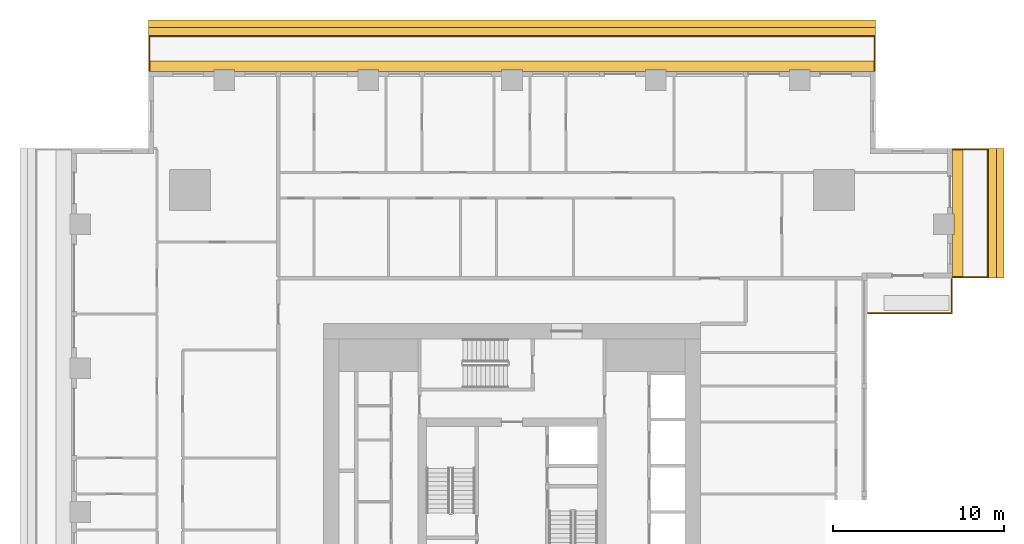
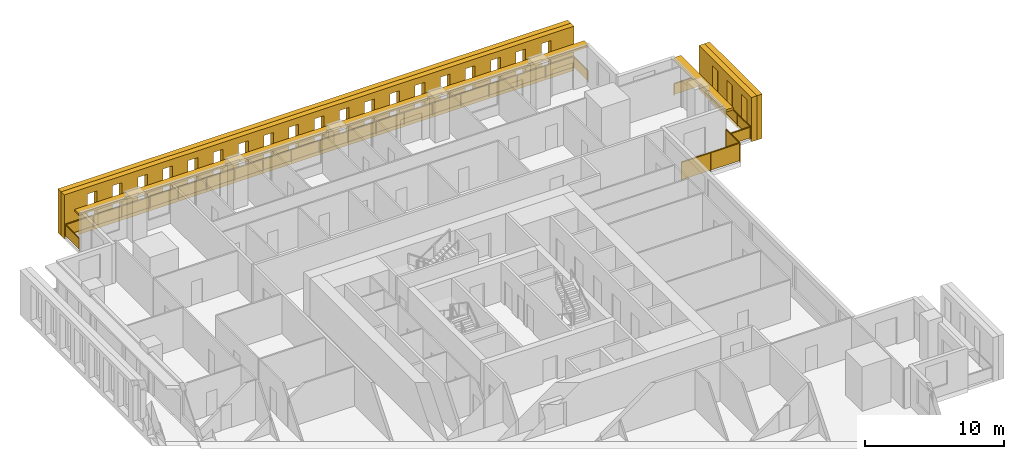
# One storey, part 15 of 15: 6 shading devices, 3 railings.
"""IFC4 building model written with IfcOpenShell, lengths in metres."""

from ifc_helpers import new_model, si_unit, direction, frame, origin, origin_2d, place, context, subcontext, project, spatial, polyline, rectangle, outline, extrude, material, layer, layer_set, type_object, element, save


model = new_model("IFC4")

# Units and contexts
model_context = context("Model", 3, precision=1e-05, world=origin(), true_north=direction((0.0, 1.0)))
body_context = subcontext(model_context, "Body", "Model", "MODEL_VIEW")
ifc_project = project(units=[si_unit("LENGTHUNIT", "METRE"), si_unit("AREAUNIT", "SQUARE_METRE"), si_unit("VOLUMEUNIT", "CUBIC_METRE"), si_unit("PLANEANGLEUNIT", "RADIAN"), si_unit("MASSUNIT", "GRAM", prefix="KILO")], contexts=[model_context])

# Site, building, storey
site_placement = place(None, origin())
site = spatial("IfcSite", under=ifc_project, at=site_placement, CompositionType="ELEMENT")
building_placement = place(site_placement, origin())
building = spatial("IfcBuilding", under=site, at=building_placement, Name="Khepri Terraces", CompositionType="ELEMENT")
storey_placement = place(building_placement, frame((0.0, 0.0, 227.39990234375)))
storey = spatial("IfcBuildingStorey", under=building, at=storey_placement, Name="L54", CompositionType="ELEMENT", Elevation=227.39990234375)

# Railings
ifc_material_1 = material(Name="Stainless steel grade 316", Category="steel")
railing_type_1 = type_object("IfcRailingType", Name="GRD-BAL-1100", PredefinedType="GUARDRAIL", material=ifc_material_1)
railing_1_placement = place(storey_placement, frame((25.719970703125, 13.699951171875, 0.0)))
element("IfcRailing", 1, at=railing_1_placement, inside=storey, type_object=railing_type_1, Name="Balcony guard L54 E", PredefinedType="GUARDRAIL", context=body_context, shape_type="SweptSolid", body=[
    extrude(rectangle(XDim=0.050048828125, YDim=0.06005859375, at=origin_2d()), frame((0.0, 0.0, 1.070068359375), z_axis=(1.0, 0.0, 0.0), x_axis=(0.0, 1.0, 0.0)), (0.0, 0.0, 1.0), 2.050048828125),
    extrude(rectangle(XDim=2.0, YDim=0.011962890625, at=origin_2d()), frame((1.02490234375, 0.0, 0.10009765625), z_axis=(0.0, 0.0, 1.0), x_axis=(1.0, 0.0, 0.0)), (0.0, 0.0, 1.0), 0.93994140625),
    extrude(rectangle(XDim=0.050048828125, YDim=0.06005859375, at=origin_2d()), frame((2.050048828125, 0.0, 1.070068359375), z_axis=(0.0, 1.0, 0.0), x_axis=(-1.0, 0.0, 0.0)), (0.0, 0.0, 1.0), 7.469970703125),
    extrude(rectangle(XDim=1.8173828125, YDim=0.011962890625, at=origin_2d()), frame((2.050048828125, 0.933837890625, 0.10009765625), z_axis=(0.0, 0.0, 1.0), x_axis=(0.0, 1.0, 0.0)), (0.0, 0.0, 1.0), 0.93994140625),
    extrude(rectangle(XDim=1.8173828125, YDim=0.011962890625, at=origin_2d()), frame((2.050048828125, 2.80126953125, 0.10009765625), z_axis=(0.0, 0.0, 1.0), x_axis=(0.0, 1.0, 0.0)), (0.0, 0.0, 1.0), 0.93994140625),
    extrude(rectangle(XDim=1.8173828125, YDim=0.011962890625, at=origin_2d()), frame((2.050048828125, 4.668701171875, 0.10009765625), z_axis=(0.0, 0.0, 1.0), x_axis=(0.0, 1.0, 0.0)), (0.0, 0.0, 1.0), 0.93994140625),
    extrude(rectangle(XDim=1.8173828125, YDim=0.011962890625, at=origin_2d()), frame((2.050048828125, 6.5361328125, 0.10009765625), z_axis=(0.0, 0.0, 1.0), x_axis=(0.0, 1.0, 0.0)), (0.0, 0.0, 1.0), 0.93994140625),
    extrude(rectangle(XDim=0.050048828125, YDim=0.06005859375, at=origin_2d()), frame((2.050048828125, 7.469970703125, 1.070068359375), z_axis=(-1.0, 0.0, 0.0), x_axis=(0.0, -1.0, 0.0)), (0.0, 0.0, 1.0), 2.050048828125),
    extrude(rectangle(XDim=2.0, YDim=0.011962890625, at=origin_2d()), frame((1.02490234375, 7.469970703125, 0.10009765625), z_axis=(0.0, 0.0, 1.0), x_axis=(-1.0, 0.0, 0.0)), (0.0, 0.0, 1.0), 0.93994140625),
    extrude(rectangle(XDim=0.050048828125, YDim=0.050048828125, at=origin_2d()), origin(), (0.0, 0.0, 1.0), 1.0400390625),
    extrude(rectangle(XDim=0.050048828125, YDim=0.050048828125, at=origin_2d()), frame((2.050048828125, 0.0, 0.0)), (0.0, 0.0, 1.0), 1.0400390625),
    extrude(rectangle(XDim=0.050048828125, YDim=0.050048828125, at=origin_2d()), frame((2.050048828125, 1.867431640625, 0.0)), (0.0, 0.0, 1.0), 1.0400390625),
    extrude(rectangle(XDim=0.050048828125, YDim=0.050048828125, at=origin_2d()), frame((2.050048828125, 3.73486328125, 0.0)), (0.0, 0.0, 1.0), 1.0400390625),
    extrude(rectangle(XDim=0.050048828125, YDim=0.050048828125, at=origin_2d()), frame((2.050048828125, 5.6025390625, 0.0)), (0.0, 0.0, 1.0), 1.0400390625),
    extrude(rectangle(XDim=0.050048828125, YDim=0.050048828125, at=origin_2d()), frame((2.050048828125, 7.469970703125, 0.0)), (0.0, 0.0, 1.0), 1.0400390625),
    extrude(rectangle(XDim=0.050048828125, YDim=0.050048828125, at=origin_2d()), frame((0.0, 7.469970703125, 0.0)), (0.0, 0.0, 1.0), 1.0400390625),
])
railing_2_placement = place(storey_placement, frame((21.169921875, 25.719970703125, 0.0)))
element("IfcRailing", 2, at=railing_2_placement, inside=storey, type_object=railing_type_1, Name="Balcony guard L54 N", PredefinedType="GUARDRAIL", context=body_context, shape_type="SweptSolid", body=[
    extrude(rectangle(XDim=0.050048828125, YDim=0.06005859375, at=origin_2d()), frame((0.0, 0.0, 1.070068359375), z_axis=(0.0, 1.0, 0.0), x_axis=(-1.0, 0.0, 0.0)), (0.0, 0.0, 1.0), 2.050048828125),
    extrude(rectangle(XDim=2.0, YDim=0.011962890625, at=origin_2d()), frame((0.0, 1.02490234375, 0.10009765625), z_axis=(0.0, 0.0, 1.0), x_axis=(0.0, 1.0, 0.0)), (0.0, 0.0, 1.0), 0.93994140625),
    extrude(rectangle(XDim=0.050048828125, YDim=0.06005859375, at=origin_2d()), frame((0.0, 2.050048828125, 1.070068359375), z_axis=(-1.0, 0.0, 0.0), x_axis=(0.0, -1.0, 0.0)), (0.0, 0.0, 1.0), 42.33984375),
    extrude(rectangle(XDim=2.30224609375, YDim=0.011962890625, at=origin_2d()), frame((-1.176025390625, 2.050048828125, 0.10009765625), z_axis=(0.0, 0.0, 1.0), x_axis=(-1.0, 0.0, 0.0)), (0.0, 0.0, 1.0), 0.93994140625),
    extrude(rectangle(XDim=2.30224609375, YDim=0.011962890625, at=origin_2d()), frame((-3.5283203125, 2.050048828125, 0.10009765625), z_axis=(0.0, 0.0, 1.0), x_axis=(-1.0, 0.0, 0.0)), (0.0, 0.0, 1.0), 0.93994140625),
    extrude(rectangle(XDim=2.30224609375, YDim=0.011962890625, at=origin_2d()), frame((-5.880615234375, 2.050048828125, 0.10009765625), z_axis=(0.0, 0.0, 1.0), x_axis=(-1.0, 0.0, 0.0)), (0.0, 0.0, 1.0), 0.93994140625),
    extrude(rectangle(XDim=2.30224609375, YDim=0.011962890625, at=origin_2d()), frame((-8.232666015625, 2.050048828125, 0.10009765625), z_axis=(0.0, 0.0, 1.0), x_axis=(-1.0, 0.0, 0.0)), (0.0, 0.0, 1.0), 0.93994140625),
    extrude(rectangle(XDim=2.30224609375, YDim=0.011962890625, at=origin_2d()), frame((-10.5849609375, 2.050048828125, 0.10009765625), z_axis=(0.0, 0.0, 1.0), x_axis=(-1.0, 0.0, 0.0)), (0.0, 0.0, 1.0), 0.93994140625),
    extrude(rectangle(XDim=2.30224609375, YDim=0.011962890625, at=origin_2d()), frame((-12.937255859375, 2.050048828125, 0.10009765625), z_axis=(0.0, 0.0, 1.0), x_axis=(-1.0, 0.0, 0.0)), (0.0, 0.0, 1.0), 0.93994140625),
    extrude(rectangle(XDim=2.30224609375, YDim=0.011962890625, at=origin_2d()), frame((-15.289306640625, 2.050048828125, 0.10009765625), z_axis=(0.0, 0.0, 1.0), x_axis=(-1.0, 0.0, 0.0)), (0.0, 0.0, 1.0), 0.93994140625),
    extrude(rectangle(XDim=2.30224609375, YDim=0.011962890625, at=origin_2d()), frame((-17.6416015625, 2.050048828125, 0.10009765625), z_axis=(0.0, 0.0, 1.0), x_axis=(-1.0, 0.0, 0.0)), (0.0, 0.0, 1.0), 0.93994140625),
    extrude(rectangle(XDim=2.30224609375, YDim=0.011962890625, at=origin_2d()), frame((-19.993896484375, 2.050048828125, 0.10009765625), z_axis=(0.0, 0.0, 1.0), x_axis=(-1.0, 0.0, 0.0)), (0.0, 0.0, 1.0), 0.93994140625),
    extrude(rectangle(XDim=2.30224609375, YDim=0.011962890625, at=origin_2d()), frame((-22.345947265625, 2.050048828125, 0.10009765625), z_axis=(0.0, 0.0, 1.0), x_axis=(-1.0, 0.0, 0.0)), (0.0, 0.0, 1.0), 0.93994140625),
    extrude(rectangle(XDim=2.30224609375, YDim=0.011962890625, at=origin_2d()), frame((-24.6982421875, 2.050048828125, 0.10009765625), z_axis=(0.0, 0.0, 1.0), x_axis=(-1.0, 0.0, 0.0)), (0.0, 0.0, 1.0), 0.93994140625),
    extrude(rectangle(XDim=2.30224609375, YDim=0.011962890625, at=origin_2d()), frame((-27.050537109375, 2.050048828125, 0.10009765625), z_axis=(0.0, 0.0, 1.0), x_axis=(-1.0, 0.0, 0.0)), (0.0, 0.0, 1.0), 0.93994140625),
    extrude(rectangle(XDim=2.30224609375, YDim=0.011962890625, at=origin_2d()), frame((-29.402587890625, 2.050048828125, 0.10009765625), z_axis=(0.0, 0.0, 1.0), x_axis=(-1.0, 0.0, 0.0)), (0.0, 0.0, 1.0), 0.93994140625),
    extrude(rectangle(XDim=2.30224609375, YDim=0.011962890625, at=origin_2d()), frame((-31.7548828125, 2.050048828125, 0.10009765625), z_axis=(0.0, 0.0, 1.0), x_axis=(-1.0, 0.0, 0.0)), (0.0, 0.0, 1.0), 0.93994140625),
    extrude(rectangle(XDim=2.30224609375, YDim=0.011962890625, at=origin_2d()), frame((-34.107177734375, 2.050048828125, 0.10009765625), z_axis=(0.0, 0.0, 1.0), x_axis=(-1.0, 0.0, 0.0)), (0.0, 0.0, 1.0), 0.93994140625),
    extrude(rectangle(XDim=2.30224609375, YDim=0.011962890625, at=origin_2d()), frame((-36.459228515625, 2.050048828125, 0.10009765625), z_axis=(0.0, 0.0, 1.0), x_axis=(-1.0, 0.0, 0.0)), (0.0, 0.0, 1.0), 0.93994140625),
    extrude(rectangle(XDim=2.30224609375, YDim=0.011962890625, at=origin_2d()), frame((-38.8115234375, 2.050048828125, 0.10009765625), z_axis=(0.0, 0.0, 1.0), x_axis=(-1.0, 0.0, 0.0)), (0.0, 0.0, 1.0), 0.93994140625),
    extrude(rectangle(XDim=2.30224609375, YDim=0.011962890625, at=origin_2d()), frame((-41.163818359375, 2.050048828125, 0.10009765625), z_axis=(0.0, 0.0, 1.0), x_axis=(-1.0, 0.0, 0.0)), (0.0, 0.0, 1.0), 0.93994140625),
    extrude(rectangle(XDim=0.050048828125, YDim=0.06005859375, at=origin_2d()), frame((-42.33984375, 2.050048828125, 1.070068359375), z_axis=(0.0, -1.0, 0.0), x_axis=(1.0, 0.0, 0.0)), (0.0, 0.0, 1.0), 2.050048828125),
    extrude(rectangle(XDim=2.0, YDim=0.011962890625, at=origin_2d()), frame((-42.33984375, 1.02490234375, 0.10009765625), z_axis=(0.0, 0.0, 1.0), x_axis=(0.0, -1.0, 0.0)), (0.0, 0.0, 1.0), 0.93994140625),
    extrude(rectangle(XDim=0.050048828125, YDim=0.050048828125, at=origin_2d()), origin(), (0.0, 0.0, 1.0), 1.0400390625),
    extrude(rectangle(XDim=0.050048828125, YDim=0.050048828125, at=origin_2d()), frame((0.0, 2.050048828125, 0.0)), (0.0, 0.0, 1.0), 1.0400390625),
    extrude(rectangle(XDim=0.050048828125, YDim=0.050048828125, at=origin_2d()), frame((-2.352294921875, 2.050048828125, 0.0)), (0.0, 0.0, 1.0), 1.0400390625),
    extrude(rectangle(XDim=0.050048828125, YDim=0.050048828125, at=origin_2d()), frame((-4.704345703125, 2.050048828125, 0.0)), (0.0, 0.0, 1.0), 1.0400390625),
    extrude(rectangle(XDim=0.050048828125, YDim=0.050048828125, at=origin_2d()), frame((-7.056640625, 2.050048828125, 0.0)), (0.0, 0.0, 1.0), 1.0400390625),
    extrude(rectangle(XDim=0.050048828125, YDim=0.050048828125, at=origin_2d()), frame((-9.408935546875, 2.050048828125, 0.0)), (0.0, 0.0, 1.0), 1.0400390625),
    extrude(rectangle(XDim=0.050048828125, YDim=0.050048828125, at=origin_2d()), frame((-11.760986328125, 2.050048828125, 0.0)), (0.0, 0.0, 1.0), 1.0400390625),
    extrude(rectangle(XDim=0.050048828125, YDim=0.050048828125, at=origin_2d()), frame((-14.11328125, 2.050048828125, 0.0)), (0.0, 0.0, 1.0), 1.0400390625),
    extrude(rectangle(XDim=0.050048828125, YDim=0.050048828125, at=origin_2d()), frame((-16.465576171875, 2.050048828125, 0.0)), (0.0, 0.0, 1.0), 1.0400390625),
    extrude(rectangle(XDim=0.050048828125, YDim=0.050048828125, at=origin_2d()), frame((-18.817626953125, 2.050048828125, 0.0)), (0.0, 0.0, 1.0), 1.0400390625),
    extrude(rectangle(XDim=0.050048828125, YDim=0.050048828125, at=origin_2d()), frame((-21.169921875, 2.050048828125, 0.0)), (0.0, 0.0, 1.0), 1.0400390625),
    extrude(rectangle(XDim=0.050048828125, YDim=0.050048828125, at=origin_2d()), frame((-23.522216796875, 2.050048828125, 0.0)), (0.0, 0.0, 1.0), 1.0400390625),
    extrude(rectangle(XDim=0.050048828125, YDim=0.050048828125, at=origin_2d()), frame((-25.874267578125, 2.050048828125, 0.0)), (0.0, 0.0, 1.0), 1.0400390625),
    extrude(rectangle(XDim=0.050048828125, YDim=0.050048828125, at=origin_2d()), frame((-28.2265625, 2.050048828125, 0.0)), (0.0, 0.0, 1.0), 1.0400390625),
    extrude(rectangle(XDim=0.050048828125, YDim=0.050048828125, at=origin_2d()), frame((-30.578857421875, 2.050048828125, 0.0)), (0.0, 0.0, 1.0), 1.0400390625),
    extrude(rectangle(XDim=0.050048828125, YDim=0.050048828125, at=origin_2d()), frame((-32.930908203125, 2.050048828125, 0.0)), (0.0, 0.0, 1.0), 1.0400390625),
    extrude(rectangle(XDim=0.050048828125, YDim=0.050048828125, at=origin_2d()), frame((-35.283203125, 2.050048828125, 0.0)), (0.0, 0.0, 1.0), 1.0400390625),
    extrude(rectangle(XDim=0.050048828125, YDim=0.050048828125, at=origin_2d()), frame((-37.635498046875, 2.050048828125, 0.0)), (0.0, 0.0, 1.0), 1.0400390625),
    extrude(rectangle(XDim=0.050048828125, YDim=0.050048828125, at=origin_2d()), frame((-39.987548828125, 2.050048828125, 0.0)), (0.0, 0.0, 1.0), 1.0400390625),
    extrude(rectangle(XDim=0.050048828125, YDim=0.050048828125, at=origin_2d()), frame((-42.33984375, 2.050048828125, 0.0)), (0.0, 0.0, 1.0), 1.0400390625),
    extrude(rectangle(XDim=0.050048828125, YDim=0.050048828125, at=origin_2d()), frame((-42.33984375, 0.0, 0.0)), (0.0, 0.0, 1.0), 1.0400390625),
])
railing_type_2 = type_object("IfcRailingType", Name="GRD-TERR-1700", PredefinedType="GUARDRAIL", material=ifc_material_1)
railing_3_placement = place(storey_placement, frame((25.669921875, 13.580078125, 0.0)))
element("IfcRailing", 3, at=railing_3_placement, inside=storey, type_object=railing_type_2, Name="Terrace guard L54", PredefinedType="GUARDRAIL", context=body_context, shape_type="SweptSolid", body=[
    extrude(rectangle(XDim=0.050048828125, YDim=0.06005859375, at=origin_2d()), frame((0.0, 0.0, 1.669921875), z_axis=(0.0, -1.0, 0.0), x_axis=(1.0, 0.0, 0.0)), (0.0, 0.0, 1.0), 1.97998046875),
    extrude(rectangle(XDim=1.929931640625, YDim=0.011962890625, at=origin_2d()), frame((0.0, -0.989990234375, 0.10009765625), z_axis=(0.0, 0.0, 1.0), x_axis=(0.0, -1.0, 0.0)), (0.0, 0.0, 1.0), 1.539794921875),
    extrude(rectangle(XDim=0.050048828125, YDim=0.06005859375, at=origin_2d()), frame((0.0, -1.97998046875, 1.669921875), z_axis=(-1.0, 0.0, 0.0), x_axis=(0.0, -1.0, 0.0)), (0.0, 0.0, 1.0), 4.8798828125),
    extrude(rectangle(XDim=2.389892578125, YDim=0.011962890625, at=origin_2d()), frame((-1.219970703125, -1.97998046875, 0.10009765625), z_axis=(0.0, 0.0, 1.0), x_axis=(-1.0, 0.0, 0.0)), (0.0, 0.0, 1.0), 1.539794921875),
    extrude(rectangle(XDim=2.389892578125, YDim=0.011962890625, at=origin_2d()), frame((-3.659912109375, -1.97998046875, 0.10009765625), z_axis=(0.0, 0.0, 1.0), x_axis=(-1.0, 0.0, 0.0)), (0.0, 0.0, 1.0), 1.539794921875),
    extrude(rectangle(XDim=0.050048828125, YDim=0.050048828125, at=origin_2d()), origin(), (0.0, 0.0, 1.0), 1.639892578125),
    extrude(rectangle(XDim=0.050048828125, YDim=0.050048828125, at=origin_2d()), frame((0.0, -1.97998046875, 0.0)), (0.0, 0.0, 1.0), 1.639892578125),
    extrude(rectangle(XDim=0.050048828125, YDim=0.050048828125, at=origin_2d()), frame((-2.43994140625, -1.97998046875, 0.0)), (0.0, 0.0, 1.0), 1.639892578125),
    extrude(rectangle(XDim=0.050048828125, YDim=0.050048828125, at=origin_2d()), frame((-4.8798828125, -1.97998046875, 0.0)), (0.0, 0.0, 1.0), 1.639892578125),
])

# Shading devices
ifc_material_2 = material(Name="Precast concrete C50/60 warm stone", Category="masonry")
shading_device_type_1 = type_object("IfcShadingDeviceType", Name="SCR-CELL-INNER-450", PredefinedType="USERDEFINED", material=ifc_material_2)
shading_device_1_placement = place(storey_placement, frame((27.820068359375, 13.64990234375, -0.25), z_axis=(1.0, 0.0, 0.0), x_axis=(0.0, 1.0, 0.0)))
element("IfcShadingDevice", 4, at=shading_device_1_placement, inside=storey, type_object=shading_device_type_1, Name="Cell screen L54 E in", ObjectType="SCREEN", PredefinedType="USERDEFINED", context=body_context, shape_type="SweptSolid", body=[
    extrude(outline(polyline([(0.0, 0.0), (7.570068359375, 0.0), (7.570068359375, 3.89990234375), (0.0, 3.89990234375), (0.0, 0.0)]), holes=[polyline([(0.6484375, 0.699951171875), (1.45166015625, 0.699951171875), (1.45166015625, 3.300048828125), (0.6484375, 3.300048828125), (0.6484375, 0.699951171875)]), polyline([(2.748291015625, 0.699951171875), (3.551513671875, 0.699951171875), (3.551513671875, 3.300048828125), (2.748291015625, 3.300048828125), (2.748291015625, 0.699951171875)]), polyline([(4.848388671875, 0.699951171875), (5.651611328125, 0.699951171875), (5.651611328125, 3.300048828125), (4.848388671875, 3.300048828125), (4.848388671875, 0.699951171875)])]), origin(), (0.0, 0.0, 1.0), 0.449951171875),
])
shading_device_2_placement = place(storey_placement, frame((21.219970703125, 27.820068359375, -0.25), z_axis=(0.0, 1.0, 0.0), x_axis=(-1.0, 0.0, 0.0)))
element("IfcShadingDevice", 5, at=shading_device_2_placement, inside=storey, type_object=shading_device_type_1, Name="Cell screen L54 N in", ObjectType="SCREEN", PredefinedType="USERDEFINED", context=body_context, shape_type="SweptSolid", body=[
    extrude(outline(polyline([(0.0, 0.0), (42.43994140625, 0.0), (42.43994140625, 3.89990234375), (0.0, 3.89990234375), (0.0, 0.0)]), holes=[polyline([(1.91845703125, 0.699951171875), (2.7216796875, 0.699951171875), (2.7216796875, 3.300048828125), (1.91845703125, 3.300048828125), (1.91845703125, 0.699951171875)]), polyline([(4.018310546875, 0.699951171875), (4.821533203125, 0.699951171875), (4.821533203125, 3.300048828125), (4.018310546875, 3.300048828125), (4.018310546875, 0.699951171875)]), polyline([(6.118408203125, 0.699951171875), (6.921630859375, 0.699951171875), (6.921630859375, 3.300048828125), (6.118408203125, 3.300048828125), (6.118408203125, 0.699951171875)]), polyline([(8.218505859375, 0.699951171875), (9.021484375, 0.699951171875), (9.021484375, 3.300048828125), (8.218505859375, 3.300048828125), (8.218505859375, 0.699951171875)]), polyline([(10.318359375, 0.699951171875), (11.12158203125, 0.699951171875), (11.12158203125, 3.300048828125), (10.318359375, 3.300048828125), (10.318359375, 0.699951171875)]), polyline([(12.41845703125, 0.699951171875), (13.2216796875, 0.699951171875), (13.2216796875, 3.300048828125), (12.41845703125, 3.300048828125), (12.41845703125, 0.699951171875)]), polyline([(14.518310546875, 0.699951171875), (15.321533203125, 0.699951171875), (15.321533203125, 3.300048828125), (14.518310546875, 3.300048828125), (14.518310546875, 0.699951171875)]), polyline([(16.618408203125, 0.699951171875), (17.421630859375, 0.699951171875), (17.421630859375, 3.300048828125), (16.618408203125, 3.300048828125), (16.618408203125, 0.699951171875)]), polyline([(18.718505859375, 0.699951171875), (19.521484375, 0.699951171875), (19.521484375, 3.300048828125), (18.718505859375, 3.300048828125), (18.718505859375, 0.699951171875)]), polyline([(20.818359375, 0.699951171875), (21.62158203125, 0.699951171875), (21.62158203125, 3.300048828125), (20.818359375, 3.300048828125), (20.818359375, 0.699951171875)]), polyline([(22.91845703125, 0.699951171875), (23.7216796875, 0.699951171875), (23.7216796875, 3.300048828125), (22.91845703125, 3.300048828125), (22.91845703125, 0.699951171875)]), polyline([(25.018310546875, 0.699951171875), (25.821533203125, 0.699951171875), (25.821533203125, 3.300048828125), (25.018310546875, 3.300048828125), (25.018310546875, 0.699951171875)]), polyline([(27.118408203125, 0.699951171875), (27.921630859375, 0.699951171875), (27.921630859375, 3.300048828125), (27.118408203125, 3.300048828125), (27.118408203125, 0.699951171875)]), polyline([(29.218505859375, 0.699951171875), (30.021484375, 0.699951171875), (30.021484375, 3.300048828125), (29.218505859375, 3.300048828125), (29.218505859375, 0.699951171875)]), polyline([(31.318359375, 0.699951171875), (32.12158203125, 0.699951171875), (32.12158203125, 3.300048828125), (31.318359375, 3.300048828125), (31.318359375, 0.699951171875)]), polyline([(33.41845703125, 0.699951171875), (34.2216796875, 0.699951171875), (34.2216796875, 3.300048828125), (33.41845703125, 3.300048828125), (33.41845703125, 0.699951171875)]), polyline([(35.518310546875, 0.699951171875), (36.321533203125, 0.699951171875), (36.321533203125, 3.300048828125), (35.518310546875, 3.300048828125), (35.518310546875, 0.699951171875)]), polyline([(37.618408203125, 0.699951171875), (38.421630859375, 0.699951171875), (38.421630859375, 3.300048828125), (37.618408203125, 3.300048828125), (37.618408203125, 0.699951171875)]), polyline([(39.718505859375, 0.699951171875), (40.521484375, 0.699951171875), (40.521484375, 3.300048828125), (39.718505859375, 3.300048828125), (39.718505859375, 0.699951171875)])]), origin(), (0.0, 0.0, 1.0), 0.449951171875),
])
shading_device_type_2 = type_object("IfcShadingDeviceType", Name="SCR-CELL-OUTER-450", PredefinedType="USERDEFINED", material=ifc_material_2)
shading_device_3_placement = place(storey_placement, frame((28.27001953125, 13.64990234375, -0.25), z_axis=(1.0, 0.0, 0.0), x_axis=(0.0, 1.0, 0.0)))
element("IfcShadingDevice", 6, at=shading_device_3_placement, inside=storey, type_object=shading_device_type_2, Name="Cell screen L54 E out", ObjectType="SCREEN", PredefinedType="USERDEFINED", context=body_context, shape_type="SweptSolid", body=[
    extrude(outline(polyline([(0.0, 0.0), (7.570068359375, 0.0), (7.570068359375, 3.89990234375), (0.0, 3.89990234375), (0.0, 0.0)]), holes=[polyline([(0.29833984375, 0.449951171875), (1.801513671875, 0.449951171875), (1.801513671875, 3.550048828125), (0.29833984375, 3.550048828125), (0.29833984375, 0.449951171875)]), polyline([(2.3984375, 0.449951171875), (3.901611328125, 0.449951171875), (3.901611328125, 3.550048828125), (2.3984375, 3.550048828125), (2.3984375, 0.449951171875)]), polyline([(4.498291015625, 0.449951171875), (6.001708984375, 0.449951171875), (6.001708984375, 3.550048828125), (4.498291015625, 3.550048828125), (4.498291015625, 0.449951171875)])]), origin(), (0.0, 0.0, 1.0), 0.449951171875),
])
shading_device_4_placement = place(storey_placement, frame((21.219970703125, 28.27001953125, -0.25), z_axis=(0.0, 1.0, 0.0), x_axis=(-1.0, 0.0, 0.0)))
element("IfcShadingDevice", 7, at=shading_device_4_placement, inside=storey, type_object=shading_device_type_2, Name="Cell screen L54 N out", ObjectType="SCREEN", PredefinedType="USERDEFINED", context=body_context, shape_type="SweptSolid", body=[
    extrude(outline(polyline([(0.0, 0.0), (42.43994140625, 0.0), (42.43994140625, 3.89990234375), (0.0, 3.89990234375), (0.0, 0.0)]), holes=[polyline([(1.568359375, 0.449951171875), (3.071533203125, 0.449951171875), (3.071533203125, 3.550048828125), (1.568359375, 3.550048828125), (1.568359375, 0.449951171875)]), polyline([(3.66845703125, 0.449951171875), (5.171630859375, 0.449951171875), (5.171630859375, 3.550048828125), (3.66845703125, 3.550048828125), (3.66845703125, 0.449951171875)]), polyline([(5.768310546875, 0.449951171875), (7.271484375, 0.449951171875), (7.271484375, 3.550048828125), (5.768310546875, 3.550048828125), (5.768310546875, 0.449951171875)]), polyline([(7.868408203125, 0.449951171875), (9.37158203125, 0.449951171875), (9.37158203125, 3.550048828125), (7.868408203125, 3.550048828125), (7.868408203125, 0.449951171875)]), polyline([(9.968505859375, 0.449951171875), (11.4716796875, 0.449951171875), (11.4716796875, 3.550048828125), (9.968505859375, 3.550048828125), (9.968505859375, 0.449951171875)]), polyline([(12.068359375, 0.449951171875), (13.571533203125, 0.449951171875), (13.571533203125, 3.550048828125), (12.068359375, 3.550048828125), (12.068359375, 0.449951171875)]), polyline([(14.16845703125, 0.449951171875), (15.671630859375, 0.449951171875), (15.671630859375, 3.550048828125), (14.16845703125, 3.550048828125), (14.16845703125, 0.449951171875)]), polyline([(16.268310546875, 0.449951171875), (17.771484375, 0.449951171875), (17.771484375, 3.550048828125), (16.268310546875, 3.550048828125), (16.268310546875, 0.449951171875)]), polyline([(18.368408203125, 0.449951171875), (19.87158203125, 0.449951171875), (19.87158203125, 3.550048828125), (18.368408203125, 3.550048828125), (18.368408203125, 0.449951171875)]), polyline([(20.468505859375, 0.449951171875), (21.9716796875, 0.449951171875), (21.9716796875, 3.550048828125), (20.468505859375, 3.550048828125), (20.468505859375, 0.449951171875)]), polyline([(22.568359375, 0.449951171875), (24.071533203125, 0.449951171875), (24.071533203125, 3.550048828125), (22.568359375, 3.550048828125), (22.568359375, 0.449951171875)]), polyline([(24.66845703125, 0.449951171875), (26.171630859375, 0.449951171875), (26.171630859375, 3.550048828125), (24.66845703125, 3.550048828125), (24.66845703125, 0.449951171875)]), polyline([(26.768310546875, 0.449951171875), (28.271484375, 0.449951171875), (28.271484375, 3.550048828125), (26.768310546875, 3.550048828125), (26.768310546875, 0.449951171875)]), polyline([(28.868408203125, 0.449951171875), (30.37158203125, 0.449951171875), (30.37158203125, 3.550048828125), (28.868408203125, 3.550048828125), (28.868408203125, 0.449951171875)]), polyline([(30.968505859375, 0.449951171875), (32.4716796875, 0.449951171875), (32.4716796875, 3.550048828125), (30.968505859375, 3.550048828125), (30.968505859375, 0.449951171875)]), polyline([(33.068359375, 0.449951171875), (34.571533203125, 0.449951171875), (34.571533203125, 3.550048828125), (33.068359375, 3.550048828125), (33.068359375, 0.449951171875)]), polyline([(35.16845703125, 0.449951171875), (36.671630859375, 0.449951171875), (36.671630859375, 3.550048828125), (35.16845703125, 3.550048828125), (35.16845703125, 0.449951171875)]), polyline([(37.268310546875, 0.449951171875), (38.771484375, 0.449951171875), (38.771484375, 3.550048828125), (37.268310546875, 3.550048828125), (37.268310546875, 0.449951171875)]), polyline([(39.368408203125, 0.449951171875), (40.87158203125, 0.449951171875), (40.87158203125, 3.550048828125), (39.368408203125, 3.550048828125), (39.368408203125, 0.449951171875)])]), origin(), (0.0, 0.0, 1.0), 0.449951171875),
])
ifc_layer = layer(ifc_material_2, 0.199951171875, Name="Precast concrete C50/60 warm stone", Category="masonry")
ifc_layer_set = layer_set([ifc_layer], Name="Precast concrete C50/60 warm stone")
shading_device_type_3 = type_object("IfcShadingDeviceType", Name="SSH-BAND-STONE-200-N", PredefinedType="USERDEFINED", material=ifc_layer_set)
shading_device_5_placement = place(storey_placement, frame((0.0, 0.0, 3.10009765625)))
element("IfcShadingDevice", 8, at=shading_device_5_placement, inside=storey, type_object=shading_device_type_3, Name="Sunshade band L54 E", ObjectType="SUNSHADE", PredefinedType="USERDEFINED", context=body_context, shape_type="SweptSolid", body=[
    extrude(outline(polyline([(25.719970703125, 16.199951171875), (25.719970703125, 13.64990234375), (26.320068359375, 13.64990234375), (26.320068359375, 21.219970703125), (25.719970703125, 21.219970703125), (25.719970703125, 17.39990234375), (25.800048828125, 17.39990234375), (25.800048828125, 16.199951171875), (25.719970703125, 16.199951171875)])), origin(), (0.0, 0.0, 1.0), 0.199951171875),
])
shading_device_6_placement = place(storey_placement, frame((0.0, 0.0, 3.10009765625)))
element("IfcShadingDevice", 9, at=shading_device_6_placement, inside=storey, type_object=shading_device_type_3, Name="Sunshade band L54 N", ObjectType="SUNSHADE", PredefinedType="USERDEFINED", context=body_context, shape_type="SweptSolid", body=[
    extrude(outline(polyline([(17.39990234375, 25.719970703125), (21.219970703125, 25.719970703125), (21.219970703125, 26.320068359375), (-21.219970703125, 26.320068359375), (-21.219970703125, 25.719970703125), (-17.39990234375, 25.719970703125), (-17.39990234375, 25.800048828125), (-16.199951171875, 25.800048828125), (-16.199951171875, 25.719970703125), (-9.0, 25.719970703125), (-9.0, 25.800048828125), (-7.800048828125, 25.800048828125), (-7.800048828125, 25.719970703125), (-0.60009765625, 25.719970703125), (-0.60009765625, 25.800048828125), (0.60009765625, 25.800048828125), (0.60009765625, 25.719970703125), (7.800048828125, 25.719970703125), (7.800048828125, 25.800048828125), (9.0, 25.800048828125), (9.0, 25.719970703125), (16.199951171875, 25.719970703125), (16.199951171875, 25.800048828125), (17.39990234375, 25.800048828125), (17.39990234375, 25.719970703125)])), origin(), (0.0, 0.0, 1.0), 0.199951171875),
])

save(model, "model.ifc")
